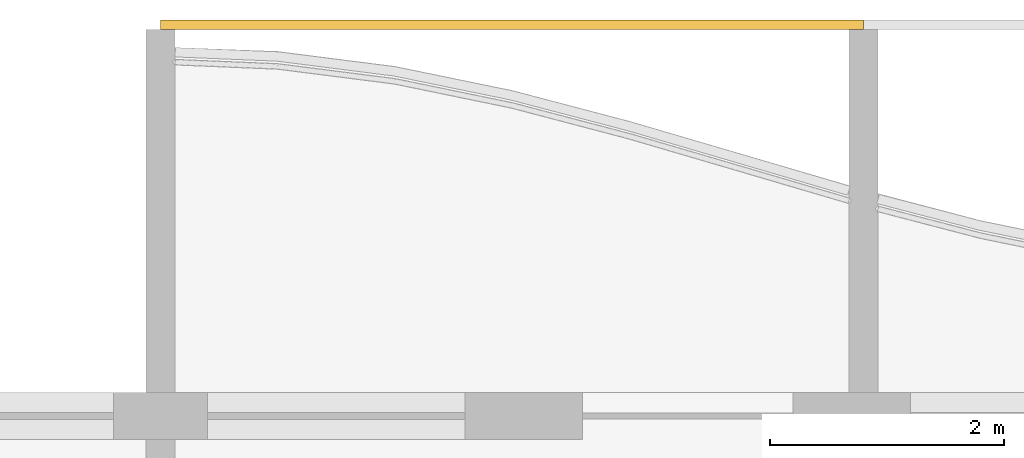
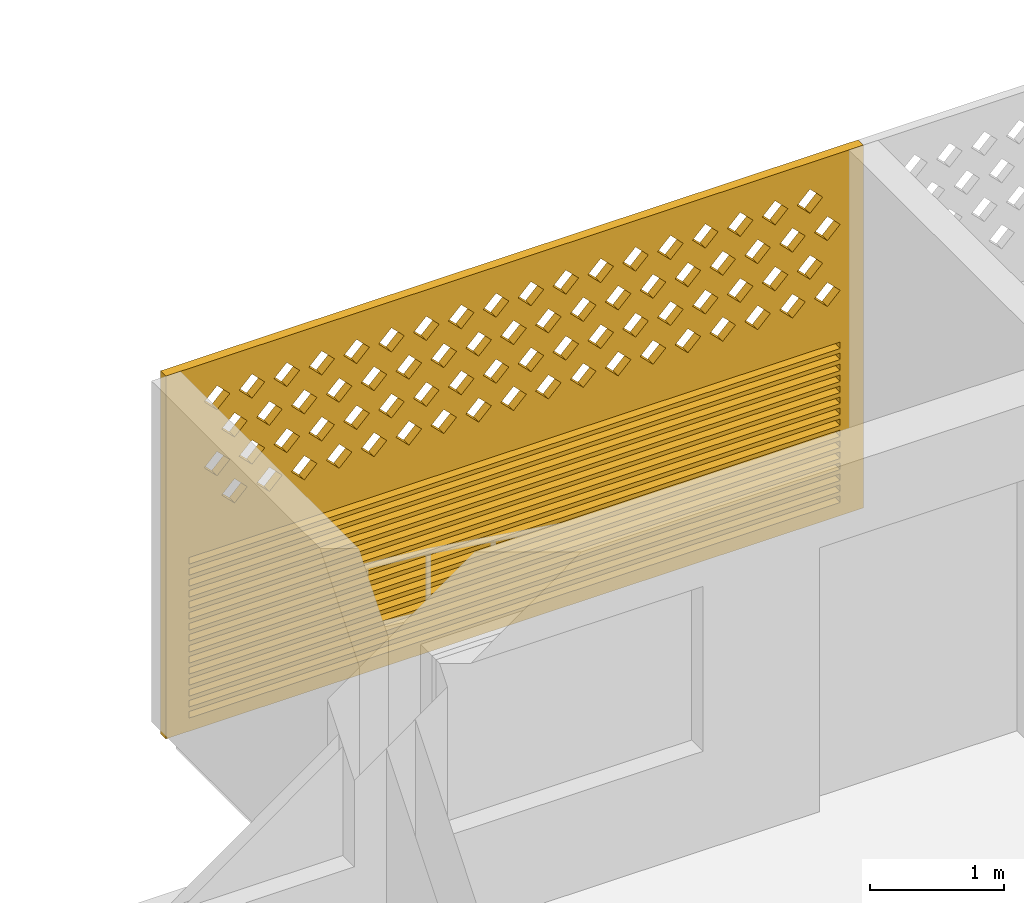
# One storey, part 22 of 26: 1 covering.
"""IFC4 building model written with IfcOpenShell, lengths in metres."""

from ifc_helpers import new_model, si_unit, direction, frame, origin, place, context, subcontext, project, spatial, polyline, outline, extrude, source, transform, mapped, material, material_profile, profile_set, type_object, element, save


model = new_model("IFC4")

# Units and contexts
model_context = context("Model", 3, precision=1e-05, world=origin(), true_north=direction((0.0, 1.0)))
body_context = subcontext(model_context, "Body", "Model", "MODEL_VIEW")
ifc_project = project(units=[si_unit("LENGTHUNIT", "METRE"), si_unit("AREAUNIT", "SQUARE_METRE"), si_unit("VOLUMEUNIT", "CUBIC_METRE"), si_unit("PLANEANGLEUNIT", "RADIAN"), si_unit("MASSUNIT", "GRAM", prefix="KILO")], contexts=[model_context])

# Site, building, storey
site_placement = place(None, origin())
site = spatial("IfcSite", under=ifc_project, at=site_placement, CompositionType="ELEMENT")
building_placement = place(site_placement, origin())
building = spatial("IfcBuilding", under=site, at=building_placement, Name="Poui Terraces", CompositionType="ELEMENT")
storey_placement = place(building_placement, frame((0.0, 0.0, 241.199951171875)))
storey = spatial("IfcBuildingStorey", under=building, at=storey_placement, Name="L67", CompositionType="ELEMENT", Elevation=241.199951171875)

# Covering
ifc_material = material(Name="Terracotta screen", Category="masonry")
ifc_material_profile = material_profile(ifc_material, outline(polyline([(-3.0, -1.64990234375), (3.0, -1.64990234375), (3.0, 1.64990234375), (-3.0, 1.64990234375), (-3.0, -1.64990234375)]), holes=[polyline([(-2.800048828125, 0.39990234375), (-2.68994140625, 0.2900390625), (-2.580078125, 0.39990234375), (-2.68994140625, 0.510009765625), (-2.800048828125, 0.39990234375)]), polyline([(-2.5, 0.39990234375), (-2.389892578125, 0.2900390625), (-2.280029296875, 0.39990234375), (-2.389892578125, 0.510009765625), (-2.5, 0.39990234375)]), polyline([(-2.199951171875, 0.39990234375), (-2.090087890625, 0.2900390625), (-1.97998046875, 0.39990234375), (-2.090087890625, 0.510009765625), (-2.199951171875, 0.39990234375)]), polyline([(-1.89990234375, 0.39990234375), (-1.7900390625, 0.2900390625), (-1.679931640625, 0.39990234375), (-1.7900390625, 0.510009765625), (-1.89990234375, 0.39990234375)]), polyline([(-1.60009765625, 0.39990234375), (-1.489990234375, 0.2900390625), (-1.3798828125, 0.39990234375), (-1.489990234375, 0.510009765625), (-1.60009765625, 0.39990234375)]), polyline([(-1.300048828125, 0.39990234375), (-1.18994140625, 0.2900390625), (-1.080078125, 0.39990234375), (-1.18994140625, 0.510009765625), (-1.300048828125, 0.39990234375)]), polyline([(-1.0, 0.39990234375), (-0.889892578125, 0.2900390625), (-0.780029296875, 0.39990234375), (-0.889892578125, 0.510009765625), (-1.0, 0.39990234375)]), polyline([(-0.699951171875, 0.39990234375), (-0.590087890625, 0.2900390625), (-0.47998046875, 0.39990234375), (-0.590087890625, 0.510009765625), (-0.699951171875, 0.39990234375)]), polyline([(-0.39990234375, 0.39990234375), (-0.2900390625, 0.2900390625), (-0.179931640625, 0.39990234375), (-0.2900390625, 0.510009765625), (-0.39990234375, 0.39990234375)]), polyline([(-0.10009765625, 0.39990234375), (0.010009765625, 0.2900390625), (0.1201171875, 0.39990234375), (0.010009765625, 0.510009765625), (-0.10009765625, 0.39990234375)]), polyline([(0.199951171875, 0.39990234375), (0.31005859375, 0.2900390625), (0.419921875, 0.39990234375), (0.31005859375, 0.510009765625), (0.199951171875, 0.39990234375)]), polyline([(0.5, 0.39990234375), (0.610107421875, 0.2900390625), (0.719970703125, 0.39990234375), (0.610107421875, 0.510009765625), (0.5, 0.39990234375)]), polyline([(0.800048828125, 0.39990234375), (0.909912109375, 0.2900390625), (1.02001953125, 0.39990234375), (0.909912109375, 0.510009765625), (0.800048828125, 0.39990234375)]), polyline([(1.10009765625, 0.39990234375), (1.2099609375, 0.2900390625), (1.320068359375, 0.39990234375), (1.2099609375, 0.510009765625), (1.10009765625, 0.39990234375)]), polyline([(1.39990234375, 0.39990234375), (1.510009765625, 0.2900390625), (1.6201171875, 0.39990234375), (1.510009765625, 0.510009765625), (1.39990234375, 0.39990234375)]), polyline([(1.699951171875, 0.39990234375), (1.81005859375, 0.2900390625), (1.919921875, 0.39990234375), (1.81005859375, 0.510009765625), (1.699951171875, 0.39990234375)]), polyline([(2.0, 0.39990234375), (2.110107421875, 0.2900390625), (2.219970703125, 0.39990234375), (2.110107421875, 0.510009765625), (2.0, 0.39990234375)]), polyline([(2.300048828125, 0.39990234375), (2.409912109375, 0.2900390625), (2.52001953125, 0.39990234375), (2.409912109375, 0.510009765625), (2.300048828125, 0.39990234375)]), polyline([(-2.64990234375, 0.699951171875), (-2.5400390625, 0.590087890625), (-2.429931640625, 0.699951171875), (-2.5400390625, 0.81005859375), (-2.64990234375, 0.699951171875)]), polyline([(-2.35009765625, 0.699951171875), (-2.239990234375, 0.590087890625), (-2.1298828125, 0.699951171875), (-2.239990234375, 0.81005859375), (-2.35009765625, 0.699951171875)]), polyline([(-2.050048828125, 0.699951171875), (-1.93994140625, 0.590087890625), (-1.830078125, 0.699951171875), (-1.93994140625, 0.81005859375), (-2.050048828125, 0.699951171875)]), polyline([(-1.75, 0.699951171875), (-1.639892578125, 0.590087890625), (-1.530029296875, 0.699951171875), (-1.639892578125, 0.81005859375), (-1.75, 0.699951171875)]), polyline([(-1.449951171875, 0.699951171875), (-1.340087890625, 0.590087890625), (-1.22998046875, 0.699951171875), (-1.340087890625, 0.81005859375), (-1.449951171875, 0.699951171875)]), polyline([(-1.14990234375, 0.699951171875), (-1.0400390625, 0.590087890625), (-0.929931640625, 0.699951171875), (-1.0400390625, 0.81005859375), (-1.14990234375, 0.699951171875)]), polyline([(-0.85009765625, 0.699951171875), (-0.739990234375, 0.590087890625), (-0.6298828125, 0.699951171875), (-0.739990234375, 0.81005859375), (-0.85009765625, 0.699951171875)]), polyline([(-0.550048828125, 0.699951171875), (-0.43994140625, 0.590087890625), (-0.330078125, 0.699951171875), (-0.43994140625, 0.81005859375), (-0.550048828125, 0.699951171875)]), polyline([(-0.25, 0.699951171875), (-0.139892578125, 0.590087890625), (-0.030029296875, 0.699951171875), (-0.139892578125, 0.81005859375), (-0.25, 0.699951171875)]), polyline([(0.050048828125, 0.699951171875), (0.159912109375, 0.590087890625), (0.27001953125, 0.699951171875), (0.159912109375, 0.81005859375), (0.050048828125, 0.699951171875)]), polyline([(0.35009765625, 0.699951171875), (0.4599609375, 0.590087890625), (0.570068359375, 0.699951171875), (0.4599609375, 0.81005859375), (0.35009765625, 0.699951171875)]), polyline([(0.64990234375, 0.699951171875), (0.760009765625, 0.590087890625), (0.8701171875, 0.699951171875), (0.760009765625, 0.81005859375), (0.64990234375, 0.699951171875)]), polyline([(0.949951171875, 0.699951171875), (1.06005859375, 0.590087890625), (1.169921875, 0.699951171875), (1.06005859375, 0.81005859375), (0.949951171875, 0.699951171875)]), polyline([(1.25, 0.699951171875), (1.360107421875, 0.590087890625), (1.469970703125, 0.699951171875), (1.360107421875, 0.81005859375), (1.25, 0.699951171875)]), polyline([(1.550048828125, 0.699951171875), (1.659912109375, 0.590087890625), (1.77001953125, 0.699951171875), (1.659912109375, 0.81005859375), (1.550048828125, 0.699951171875)]), polyline([(1.85009765625, 0.699951171875), (1.9599609375, 0.590087890625), (2.070068359375, 0.699951171875), (1.9599609375, 0.81005859375), (1.85009765625, 0.699951171875)]), polyline([(2.14990234375, 0.699951171875), (2.260009765625, 0.590087890625), (2.3701171875, 0.699951171875), (2.260009765625, 0.81005859375), (2.14990234375, 0.699951171875)]), polyline([(2.449951171875, 0.699951171875), (2.56005859375, 0.590087890625), (2.669921875, 0.699951171875), (2.56005859375, 0.81005859375), (2.449951171875, 0.699951171875)]), polyline([(-2.800048828125, 1.0), (-2.68994140625, 0.889892578125), (-2.580078125, 1.0), (-2.68994140625, 1.110107421875), (-2.800048828125, 1.0)]), polyline([(-2.5, 1.0), (-2.389892578125, 0.889892578125), (-2.280029296875, 1.0), (-2.389892578125, 1.110107421875), (-2.5, 1.0)]), polyline([(-2.199951171875, 1.0), (-2.090087890625, 0.889892578125), (-1.97998046875, 1.0), (-2.090087890625, 1.110107421875), (-2.199951171875, 1.0)]), polyline([(-1.89990234375, 1.0), (-1.7900390625, 0.889892578125), (-1.679931640625, 1.0), (-1.7900390625, 1.110107421875), (-1.89990234375, 1.0)]), polyline([(-1.60009765625, 1.0), (-1.489990234375, 0.889892578125), (-1.3798828125, 1.0), (-1.489990234375, 1.110107421875), (-1.60009765625, 1.0)]), polyline([(-1.300048828125, 1.0), (-1.18994140625, 0.889892578125), (-1.080078125, 1.0), (-1.18994140625, 1.110107421875), (-1.300048828125, 1.0)]), polyline([(-1.0, 1.0), (-0.889892578125, 0.889892578125), (-0.780029296875, 1.0), (-0.889892578125, 1.110107421875), (-1.0, 1.0)]), polyline([(-0.699951171875, 1.0), (-0.590087890625, 0.889892578125), (-0.47998046875, 1.0), (-0.590087890625, 1.110107421875), (-0.699951171875, 1.0)]), polyline([(-0.39990234375, 1.0), (-0.2900390625, 0.889892578125), (-0.179931640625, 1.0), (-0.2900390625, 1.110107421875), (-0.39990234375, 1.0)]), polyline([(-0.10009765625, 1.0), (0.010009765625, 0.889892578125), (0.1201171875, 1.0), (0.010009765625, 1.110107421875), (-0.10009765625, 1.0)]), polyline([(0.199951171875, 1.0), (0.31005859375, 0.889892578125), (0.419921875, 1.0), (0.31005859375, 1.110107421875), (0.199951171875, 1.0)]), polyline([(0.5, 1.0), (0.610107421875, 0.889892578125), (0.719970703125, 1.0), (0.610107421875, 1.110107421875), (0.5, 1.0)]), polyline([(0.800048828125, 1.0), (0.909912109375, 0.889892578125), (1.02001953125, 1.0), (0.909912109375, 1.110107421875), (0.800048828125, 1.0)]), polyline([(1.10009765625, 1.0), (1.2099609375, 0.889892578125), (1.320068359375, 1.0), (1.2099609375, 1.110107421875), (1.10009765625, 1.0)]), polyline([(1.39990234375, 1.0), (1.510009765625, 0.889892578125), (1.6201171875, 1.0), (1.510009765625, 1.110107421875), (1.39990234375, 1.0)]), polyline([(1.699951171875, 1.0), (1.81005859375, 0.889892578125), (1.919921875, 1.0), (1.81005859375, 1.110107421875), (1.699951171875, 1.0)]), polyline([(2.0, 1.0), (2.110107421875, 0.889892578125), (2.219970703125, 1.0), (2.110107421875, 1.110107421875), (2.0, 1.0)]), polyline([(2.300048828125, 1.0), (2.409912109375, 0.889892578125), (2.52001953125, 1.0), (2.409912109375, 1.110107421875), (2.300048828125, 1.0)]), polyline([(-2.64990234375, 1.300048828125), (-2.5400390625, 1.18994140625), (-2.429931640625, 1.300048828125), (-2.5400390625, 1.409912109375), (-2.64990234375, 1.300048828125)]), polyline([(-2.35009765625, 1.300048828125), (-2.239990234375, 1.18994140625), (-2.1298828125, 1.300048828125), (-2.239990234375, 1.409912109375), (-2.35009765625, 1.300048828125)]), polyline([(-2.050048828125, 1.300048828125), (-1.93994140625, 1.18994140625), (-1.830078125, 1.300048828125), (-1.93994140625, 1.409912109375), (-2.050048828125, 1.300048828125)]), polyline([(-1.75, 1.300048828125), (-1.639892578125, 1.18994140625), (-1.530029296875, 1.300048828125), (-1.639892578125, 1.409912109375), (-1.75, 1.300048828125)]), polyline([(-1.449951171875, 1.300048828125), (-1.340087890625, 1.18994140625), (-1.22998046875, 1.300048828125), (-1.340087890625, 1.409912109375), (-1.449951171875, 1.300048828125)]), polyline([(-1.14990234375, 1.300048828125), (-1.0400390625, 1.18994140625), (-0.929931640625, 1.300048828125), (-1.0400390625, 1.409912109375), (-1.14990234375, 1.300048828125)]), polyline([(-0.85009765625, 1.300048828125), (-0.739990234375, 1.18994140625), (-0.6298828125, 1.300048828125), (-0.739990234375, 1.409912109375), (-0.85009765625, 1.300048828125)]), polyline([(-0.550048828125, 1.300048828125), (-0.43994140625, 1.18994140625), (-0.330078125, 1.300048828125), (-0.43994140625, 1.409912109375), (-0.550048828125, 1.300048828125)]), polyline([(-0.25, 1.300048828125), (-0.139892578125, 1.18994140625), (-0.030029296875, 1.300048828125), (-0.139892578125, 1.409912109375), (-0.25, 1.300048828125)]), polyline([(0.050048828125, 1.300048828125), (0.159912109375, 1.18994140625), (0.27001953125, 1.300048828125), (0.159912109375, 1.409912109375), (0.050048828125, 1.300048828125)]), polyline([(0.35009765625, 1.300048828125), (0.4599609375, 1.18994140625), (0.570068359375, 1.300048828125), (0.4599609375, 1.409912109375), (0.35009765625, 1.300048828125)]), polyline([(0.64990234375, 1.300048828125), (0.760009765625, 1.18994140625), (0.8701171875, 1.300048828125), (0.760009765625, 1.409912109375), (0.64990234375, 1.300048828125)]), polyline([(0.949951171875, 1.300048828125), (1.06005859375, 1.18994140625), (1.169921875, 1.300048828125), (1.06005859375, 1.409912109375), (0.949951171875, 1.300048828125)]), polyline([(1.25, 1.300048828125), (1.360107421875, 1.18994140625), (1.469970703125, 1.300048828125), (1.360107421875, 1.409912109375), (1.25, 1.300048828125)]), polyline([(1.550048828125, 1.300048828125), (1.659912109375, 1.18994140625), (1.77001953125, 1.300048828125), (1.659912109375, 1.409912109375), (1.550048828125, 1.300048828125)]), polyline([(1.85009765625, 1.300048828125), (1.9599609375, 1.18994140625), (2.070068359375, 1.300048828125), (1.9599609375, 1.409912109375), (1.85009765625, 1.300048828125)]), polyline([(2.14990234375, 1.300048828125), (2.260009765625, 1.18994140625), (2.3701171875, 1.300048828125), (2.260009765625, 1.409912109375), (2.14990234375, 1.300048828125)]), polyline([(2.449951171875, 1.300048828125), (2.56005859375, 1.18994140625), (2.669921875, 1.300048828125), (2.56005859375, 1.409912109375), (2.449951171875, 1.300048828125)]), polyline([(-2.800048828125, -1.530029296875), (2.800048828125, -1.530029296875), (2.800048828125, -1.469970703125), (-2.800048828125, -1.469970703125), (-2.800048828125, -1.530029296875)]), polyline([(-2.800048828125, -1.429931640625), (2.800048828125, -1.429931640625), (2.800048828125, -1.3701171875), (-2.800048828125, -1.3701171875), (-2.800048828125, -1.429931640625)]), polyline([(-2.800048828125, -1.330078125), (2.800048828125, -1.330078125), (2.800048828125, -1.27001953125), (-2.800048828125, -1.27001953125), (-2.800048828125, -1.330078125)]), polyline([(-2.800048828125, -1.22998046875), (2.800048828125, -1.22998046875), (2.800048828125, -1.169921875), (-2.800048828125, -1.169921875), (-2.800048828125, -1.22998046875)]), polyline([(-2.800048828125, -1.1298828125), (2.800048828125, -1.1298828125), (2.800048828125, -1.070068359375), (-2.800048828125, -1.070068359375), (-2.800048828125, -1.1298828125)]), polyline([(-2.800048828125, -1.030029296875), (2.800048828125, -1.030029296875), (2.800048828125, -0.969970703125), (-2.800048828125, -0.969970703125), (-2.800048828125, -1.030029296875)]), polyline([(-2.800048828125, -0.929931640625), (2.800048828125, -0.929931640625), (2.800048828125, -0.8701171875), (-2.800048828125, -0.8701171875), (-2.800048828125, -0.929931640625)]), polyline([(-2.800048828125, -0.830078125), (2.800048828125, -0.830078125), (2.800048828125, -0.77001953125), (-2.800048828125, -0.77001953125), (-2.800048828125, -0.830078125)]), polyline([(-2.800048828125, -0.72998046875), (2.800048828125, -0.72998046875), (2.800048828125, -0.669921875), (-2.800048828125, -0.669921875), (-2.800048828125, -0.72998046875)]), polyline([(-2.800048828125, -0.6298828125), (2.800048828125, -0.6298828125), (2.800048828125, -0.570068359375), (-2.800048828125, -0.570068359375), (-2.800048828125, -0.6298828125)]), polyline([(-2.800048828125, -0.530029296875), (2.800048828125, -0.530029296875), (2.800048828125, -0.469970703125), (-2.800048828125, -0.469970703125), (-2.800048828125, -0.530029296875)]), polyline([(-2.800048828125, -0.429931640625), (2.800048828125, -0.429931640625), (2.800048828125, -0.3701171875), (-2.800048828125, -0.3701171875), (-2.800048828125, -0.429931640625)]), polyline([(-2.800048828125, -0.330078125), (2.800048828125, -0.330078125), (2.800048828125, -0.27001953125), (-2.800048828125, -0.27001953125), (-2.800048828125, -0.330078125)]), polyline([(-2.800048828125, -0.22998046875), (2.800048828125, -0.22998046875), (2.800048828125, -0.169921875), (-2.800048828125, -0.169921875), (-2.800048828125, -0.22998046875)]), polyline([(-2.800048828125, -0.1298828125), (2.800048828125, -0.1298828125), (2.800048828125, -0.070068359375), (-2.800048828125, -0.070068359375), (-2.800048828125, -0.1298828125)])]), Name="TERRACOTTA SCREEN AND JALOUSIE LOUVRE 6000X3300")
ifc_profile_set = profile_set([ifc_material_profile], Name="Terracotta screen")
covering_type = type_object("IfcCoveringType", Name="TERRACOTTA SCREEN AND JALOUSIE LOUVRE 6000X3300", PredefinedType="CLADDING", material=ifc_profile_set)
shared_shape = source(origin(), body_context, "Body", "SweptSolid", [
    extrude(outline(polyline([(-3.0, -1.64990234375), (3.0, -1.64990234375), (3.0, 1.64990234375), (-3.0, 1.64990234375), (-3.0, -1.64990234375)]), holes=[polyline([(-2.800048828125, 0.39990234375), (-2.68994140625, 0.2900390625), (-2.580078125, 0.39990234375), (-2.68994140625, 0.510009765625), (-2.800048828125, 0.39990234375)]), polyline([(-2.5, 0.39990234375), (-2.389892578125, 0.2900390625), (-2.280029296875, 0.39990234375), (-2.389892578125, 0.510009765625), (-2.5, 0.39990234375)]), polyline([(-2.199951171875, 0.39990234375), (-2.090087890625, 0.2900390625), (-1.97998046875, 0.39990234375), (-2.090087890625, 0.510009765625), (-2.199951171875, 0.39990234375)]), polyline([(-1.89990234375, 0.39990234375), (-1.7900390625, 0.2900390625), (-1.679931640625, 0.39990234375), (-1.7900390625, 0.510009765625), (-1.89990234375, 0.39990234375)]), polyline([(-1.60009765625, 0.39990234375), (-1.489990234375, 0.2900390625), (-1.3798828125, 0.39990234375), (-1.489990234375, 0.510009765625), (-1.60009765625, 0.39990234375)]), polyline([(-1.300048828125, 0.39990234375), (-1.18994140625, 0.2900390625), (-1.080078125, 0.39990234375), (-1.18994140625, 0.510009765625), (-1.300048828125, 0.39990234375)]), polyline([(-1.0, 0.39990234375), (-0.889892578125, 0.2900390625), (-0.780029296875, 0.39990234375), (-0.889892578125, 0.510009765625), (-1.0, 0.39990234375)]), polyline([(-0.699951171875, 0.39990234375), (-0.590087890625, 0.2900390625), (-0.47998046875, 0.39990234375), (-0.590087890625, 0.510009765625), (-0.699951171875, 0.39990234375)]), polyline([(-0.39990234375, 0.39990234375), (-0.2900390625, 0.2900390625), (-0.179931640625, 0.39990234375), (-0.2900390625, 0.510009765625), (-0.39990234375, 0.39990234375)]), polyline([(-0.10009765625, 0.39990234375), (0.010009765625, 0.2900390625), (0.1201171875, 0.39990234375), (0.010009765625, 0.510009765625), (-0.10009765625, 0.39990234375)]), polyline([(0.199951171875, 0.39990234375), (0.31005859375, 0.2900390625), (0.419921875, 0.39990234375), (0.31005859375, 0.510009765625), (0.199951171875, 0.39990234375)]), polyline([(0.5, 0.39990234375), (0.610107421875, 0.2900390625), (0.719970703125, 0.39990234375), (0.610107421875, 0.510009765625), (0.5, 0.39990234375)]), polyline([(0.800048828125, 0.39990234375), (0.909912109375, 0.2900390625), (1.02001953125, 0.39990234375), (0.909912109375, 0.510009765625), (0.800048828125, 0.39990234375)]), polyline([(1.10009765625, 0.39990234375), (1.2099609375, 0.2900390625), (1.320068359375, 0.39990234375), (1.2099609375, 0.510009765625), (1.10009765625, 0.39990234375)]), polyline([(1.39990234375, 0.39990234375), (1.510009765625, 0.2900390625), (1.6201171875, 0.39990234375), (1.510009765625, 0.510009765625), (1.39990234375, 0.39990234375)]), polyline([(1.699951171875, 0.39990234375), (1.81005859375, 0.2900390625), (1.919921875, 0.39990234375), (1.81005859375, 0.510009765625), (1.699951171875, 0.39990234375)]), polyline([(2.0, 0.39990234375), (2.110107421875, 0.2900390625), (2.219970703125, 0.39990234375), (2.110107421875, 0.510009765625), (2.0, 0.39990234375)]), polyline([(2.300048828125, 0.39990234375), (2.409912109375, 0.2900390625), (2.52001953125, 0.39990234375), (2.409912109375, 0.510009765625), (2.300048828125, 0.39990234375)]), polyline([(-2.64990234375, 0.699951171875), (-2.5400390625, 0.590087890625), (-2.429931640625, 0.699951171875), (-2.5400390625, 0.81005859375), (-2.64990234375, 0.699951171875)]), polyline([(-2.35009765625, 0.699951171875), (-2.239990234375, 0.590087890625), (-2.1298828125, 0.699951171875), (-2.239990234375, 0.81005859375), (-2.35009765625, 0.699951171875)]), polyline([(-2.050048828125, 0.699951171875), (-1.93994140625, 0.590087890625), (-1.830078125, 0.699951171875), (-1.93994140625, 0.81005859375), (-2.050048828125, 0.699951171875)]), polyline([(-1.75, 0.699951171875), (-1.639892578125, 0.590087890625), (-1.530029296875, 0.699951171875), (-1.639892578125, 0.81005859375), (-1.75, 0.699951171875)]), polyline([(-1.449951171875, 0.699951171875), (-1.340087890625, 0.590087890625), (-1.22998046875, 0.699951171875), (-1.340087890625, 0.81005859375), (-1.449951171875, 0.699951171875)]), polyline([(-1.14990234375, 0.699951171875), (-1.0400390625, 0.590087890625), (-0.929931640625, 0.699951171875), (-1.0400390625, 0.81005859375), (-1.14990234375, 0.699951171875)]), polyline([(-0.85009765625, 0.699951171875), (-0.739990234375, 0.590087890625), (-0.6298828125, 0.699951171875), (-0.739990234375, 0.81005859375), (-0.85009765625, 0.699951171875)]), polyline([(-0.550048828125, 0.699951171875), (-0.43994140625, 0.590087890625), (-0.330078125, 0.699951171875), (-0.43994140625, 0.81005859375), (-0.550048828125, 0.699951171875)]), polyline([(-0.25, 0.699951171875), (-0.139892578125, 0.590087890625), (-0.030029296875, 0.699951171875), (-0.139892578125, 0.81005859375), (-0.25, 0.699951171875)]), polyline([(0.050048828125, 0.699951171875), (0.159912109375, 0.590087890625), (0.27001953125, 0.699951171875), (0.159912109375, 0.81005859375), (0.050048828125, 0.699951171875)]), polyline([(0.35009765625, 0.699951171875), (0.4599609375, 0.590087890625), (0.570068359375, 0.699951171875), (0.4599609375, 0.81005859375), (0.35009765625, 0.699951171875)]), polyline([(0.64990234375, 0.699951171875), (0.760009765625, 0.590087890625), (0.8701171875, 0.699951171875), (0.760009765625, 0.81005859375), (0.64990234375, 0.699951171875)]), polyline([(0.949951171875, 0.699951171875), (1.06005859375, 0.590087890625), (1.169921875, 0.699951171875), (1.06005859375, 0.81005859375), (0.949951171875, 0.699951171875)]), polyline([(1.25, 0.699951171875), (1.360107421875, 0.590087890625), (1.469970703125, 0.699951171875), (1.360107421875, 0.81005859375), (1.25, 0.699951171875)]), polyline([(1.550048828125, 0.699951171875), (1.659912109375, 0.590087890625), (1.77001953125, 0.699951171875), (1.659912109375, 0.81005859375), (1.550048828125, 0.699951171875)]), polyline([(1.85009765625, 0.699951171875), (1.9599609375, 0.590087890625), (2.070068359375, 0.699951171875), (1.9599609375, 0.81005859375), (1.85009765625, 0.699951171875)]), polyline([(2.14990234375, 0.699951171875), (2.260009765625, 0.590087890625), (2.3701171875, 0.699951171875), (2.260009765625, 0.81005859375), (2.14990234375, 0.699951171875)]), polyline([(2.449951171875, 0.699951171875), (2.56005859375, 0.590087890625), (2.669921875, 0.699951171875), (2.56005859375, 0.81005859375), (2.449951171875, 0.699951171875)]), polyline([(-2.800048828125, 1.0), (-2.68994140625, 0.889892578125), (-2.580078125, 1.0), (-2.68994140625, 1.110107421875), (-2.800048828125, 1.0)]), polyline([(-2.5, 1.0), (-2.389892578125, 0.889892578125), (-2.280029296875, 1.0), (-2.389892578125, 1.110107421875), (-2.5, 1.0)]), polyline([(-2.199951171875, 1.0), (-2.090087890625, 0.889892578125), (-1.97998046875, 1.0), (-2.090087890625, 1.110107421875), (-2.199951171875, 1.0)]), polyline([(-1.89990234375, 1.0), (-1.7900390625, 0.889892578125), (-1.679931640625, 1.0), (-1.7900390625, 1.110107421875), (-1.89990234375, 1.0)]), polyline([(-1.60009765625, 1.0), (-1.489990234375, 0.889892578125), (-1.3798828125, 1.0), (-1.489990234375, 1.110107421875), (-1.60009765625, 1.0)]), polyline([(-1.300048828125, 1.0), (-1.18994140625, 0.889892578125), (-1.080078125, 1.0), (-1.18994140625, 1.110107421875), (-1.300048828125, 1.0)]), polyline([(-1.0, 1.0), (-0.889892578125, 0.889892578125), (-0.780029296875, 1.0), (-0.889892578125, 1.110107421875), (-1.0, 1.0)]), polyline([(-0.699951171875, 1.0), (-0.590087890625, 0.889892578125), (-0.47998046875, 1.0), (-0.590087890625, 1.110107421875), (-0.699951171875, 1.0)]), polyline([(-0.39990234375, 1.0), (-0.2900390625, 0.889892578125), (-0.179931640625, 1.0), (-0.2900390625, 1.110107421875), (-0.39990234375, 1.0)]), polyline([(-0.10009765625, 1.0), (0.010009765625, 0.889892578125), (0.1201171875, 1.0), (0.010009765625, 1.110107421875), (-0.10009765625, 1.0)]), polyline([(0.199951171875, 1.0), (0.31005859375, 0.889892578125), (0.419921875, 1.0), (0.31005859375, 1.110107421875), (0.199951171875, 1.0)]), polyline([(0.5, 1.0), (0.610107421875, 0.889892578125), (0.719970703125, 1.0), (0.610107421875, 1.110107421875), (0.5, 1.0)]), polyline([(0.800048828125, 1.0), (0.909912109375, 0.889892578125), (1.02001953125, 1.0), (0.909912109375, 1.110107421875), (0.800048828125, 1.0)]), polyline([(1.10009765625, 1.0), (1.2099609375, 0.889892578125), (1.320068359375, 1.0), (1.2099609375, 1.110107421875), (1.10009765625, 1.0)]), polyline([(1.39990234375, 1.0), (1.510009765625, 0.889892578125), (1.6201171875, 1.0), (1.510009765625, 1.110107421875), (1.39990234375, 1.0)]), polyline([(1.699951171875, 1.0), (1.81005859375, 0.889892578125), (1.919921875, 1.0), (1.81005859375, 1.110107421875), (1.699951171875, 1.0)]), polyline([(2.0, 1.0), (2.110107421875, 0.889892578125), (2.219970703125, 1.0), (2.110107421875, 1.110107421875), (2.0, 1.0)]), polyline([(2.300048828125, 1.0), (2.409912109375, 0.889892578125), (2.52001953125, 1.0), (2.409912109375, 1.110107421875), (2.300048828125, 1.0)]), polyline([(-2.64990234375, 1.300048828125), (-2.5400390625, 1.18994140625), (-2.429931640625, 1.300048828125), (-2.5400390625, 1.409912109375), (-2.64990234375, 1.300048828125)]), polyline([(-2.35009765625, 1.300048828125), (-2.239990234375, 1.18994140625), (-2.1298828125, 1.300048828125), (-2.239990234375, 1.409912109375), (-2.35009765625, 1.300048828125)]), polyline([(-2.050048828125, 1.300048828125), (-1.93994140625, 1.18994140625), (-1.830078125, 1.300048828125), (-1.93994140625, 1.409912109375), (-2.050048828125, 1.300048828125)]), polyline([(-1.75, 1.300048828125), (-1.639892578125, 1.18994140625), (-1.530029296875, 1.300048828125), (-1.639892578125, 1.409912109375), (-1.75, 1.300048828125)]), polyline([(-1.449951171875, 1.300048828125), (-1.340087890625, 1.18994140625), (-1.22998046875, 1.300048828125), (-1.340087890625, 1.409912109375), (-1.449951171875, 1.300048828125)]), polyline([(-1.14990234375, 1.300048828125), (-1.0400390625, 1.18994140625), (-0.929931640625, 1.300048828125), (-1.0400390625, 1.409912109375), (-1.14990234375, 1.300048828125)]), polyline([(-0.85009765625, 1.300048828125), (-0.739990234375, 1.18994140625), (-0.6298828125, 1.300048828125), (-0.739990234375, 1.409912109375), (-0.85009765625, 1.300048828125)]), polyline([(-0.550048828125, 1.300048828125), (-0.43994140625, 1.18994140625), (-0.330078125, 1.300048828125), (-0.43994140625, 1.409912109375), (-0.550048828125, 1.300048828125)]), polyline([(-0.25, 1.300048828125), (-0.139892578125, 1.18994140625), (-0.030029296875, 1.300048828125), (-0.139892578125, 1.409912109375), (-0.25, 1.300048828125)]), polyline([(0.050048828125, 1.300048828125), (0.159912109375, 1.18994140625), (0.27001953125, 1.300048828125), (0.159912109375, 1.409912109375), (0.050048828125, 1.300048828125)]), polyline([(0.35009765625, 1.300048828125), (0.4599609375, 1.18994140625), (0.570068359375, 1.300048828125), (0.4599609375, 1.409912109375), (0.35009765625, 1.300048828125)]), polyline([(0.64990234375, 1.300048828125), (0.760009765625, 1.18994140625), (0.8701171875, 1.300048828125), (0.760009765625, 1.409912109375), (0.64990234375, 1.300048828125)]), polyline([(0.949951171875, 1.300048828125), (1.06005859375, 1.18994140625), (1.169921875, 1.300048828125), (1.06005859375, 1.409912109375), (0.949951171875, 1.300048828125)]), polyline([(1.25, 1.300048828125), (1.360107421875, 1.18994140625), (1.469970703125, 1.300048828125), (1.360107421875, 1.409912109375), (1.25, 1.300048828125)]), polyline([(1.550048828125, 1.300048828125), (1.659912109375, 1.18994140625), (1.77001953125, 1.300048828125), (1.659912109375, 1.409912109375), (1.550048828125, 1.300048828125)]), polyline([(1.85009765625, 1.300048828125), (1.9599609375, 1.18994140625), (2.070068359375, 1.300048828125), (1.9599609375, 1.409912109375), (1.85009765625, 1.300048828125)]), polyline([(2.14990234375, 1.300048828125), (2.260009765625, 1.18994140625), (2.3701171875, 1.300048828125), (2.260009765625, 1.409912109375), (2.14990234375, 1.300048828125)]), polyline([(2.449951171875, 1.300048828125), (2.56005859375, 1.18994140625), (2.669921875, 1.300048828125), (2.56005859375, 1.409912109375), (2.449951171875, 1.300048828125)]), polyline([(-2.800048828125, -1.530029296875), (2.800048828125, -1.530029296875), (2.800048828125, -1.469970703125), (-2.800048828125, -1.469970703125), (-2.800048828125, -1.530029296875)]), polyline([(-2.800048828125, -1.429931640625), (2.800048828125, -1.429931640625), (2.800048828125, -1.3701171875), (-2.800048828125, -1.3701171875), (-2.800048828125, -1.429931640625)]), polyline([(-2.800048828125, -1.330078125), (2.800048828125, -1.330078125), (2.800048828125, -1.27001953125), (-2.800048828125, -1.27001953125), (-2.800048828125, -1.330078125)]), polyline([(-2.800048828125, -1.22998046875), (2.800048828125, -1.22998046875), (2.800048828125, -1.169921875), (-2.800048828125, -1.169921875), (-2.800048828125, -1.22998046875)]), polyline([(-2.800048828125, -1.1298828125), (2.800048828125, -1.1298828125), (2.800048828125, -1.070068359375), (-2.800048828125, -1.070068359375), (-2.800048828125, -1.1298828125)]), polyline([(-2.800048828125, -1.030029296875), (2.800048828125, -1.030029296875), (2.800048828125, -0.969970703125), (-2.800048828125, -0.969970703125), (-2.800048828125, -1.030029296875)]), polyline([(-2.800048828125, -0.929931640625), (2.800048828125, -0.929931640625), (2.800048828125, -0.8701171875), (-2.800048828125, -0.8701171875), (-2.800048828125, -0.929931640625)]), polyline([(-2.800048828125, -0.830078125), (2.800048828125, -0.830078125), (2.800048828125, -0.77001953125), (-2.800048828125, -0.77001953125), (-2.800048828125, -0.830078125)]), polyline([(-2.800048828125, -0.72998046875), (2.800048828125, -0.72998046875), (2.800048828125, -0.669921875), (-2.800048828125, -0.669921875), (-2.800048828125, -0.72998046875)]), polyline([(-2.800048828125, -0.6298828125), (2.800048828125, -0.6298828125), (2.800048828125, -0.570068359375), (-2.800048828125, -0.570068359375), (-2.800048828125, -0.6298828125)]), polyline([(-2.800048828125, -0.530029296875), (2.800048828125, -0.530029296875), (2.800048828125, -0.469970703125), (-2.800048828125, -0.469970703125), (-2.800048828125, -0.530029296875)]), polyline([(-2.800048828125, -0.429931640625), (2.800048828125, -0.429931640625), (2.800048828125, -0.3701171875), (-2.800048828125, -0.3701171875), (-2.800048828125, -0.429931640625)]), polyline([(-2.800048828125, -0.330078125), (2.800048828125, -0.330078125), (2.800048828125, -0.27001953125), (-2.800048828125, -0.27001953125), (-2.800048828125, -0.330078125)]), polyline([(-2.800048828125, -0.22998046875), (2.800048828125, -0.22998046875), (2.800048828125, -0.169921875), (-2.800048828125, -0.169921875), (-2.800048828125, -0.22998046875)]), polyline([(-2.800048828125, -0.1298828125), (2.800048828125, -0.1298828125), (2.800048828125, -0.070068359375), (-2.800048828125, -0.070068359375), (-2.800048828125, -0.1298828125)])]), origin(), (0.0, 0.0, 1.0), 0.080078125),
])
covering_placement = place(storey_placement, frame((63.0, 44.5, 1.449951171875), z_axis=(0.0, 1.0, 0.0), x_axis=(-1.0, 0.0, 0.0)))
element("IfcCovering", 1, at=covering_placement, inside=storey, type_object=covering_type, Name="SOLAR SCREEN AND JALOUSIE LOUVRE", PredefinedType="CLADDING", context=body_context, shape_type="MappedRepresentation", body=[
    mapped(shared_shape, transform((0.0, 0.0, 0.0))),
])

save(model, "model.ifc")
